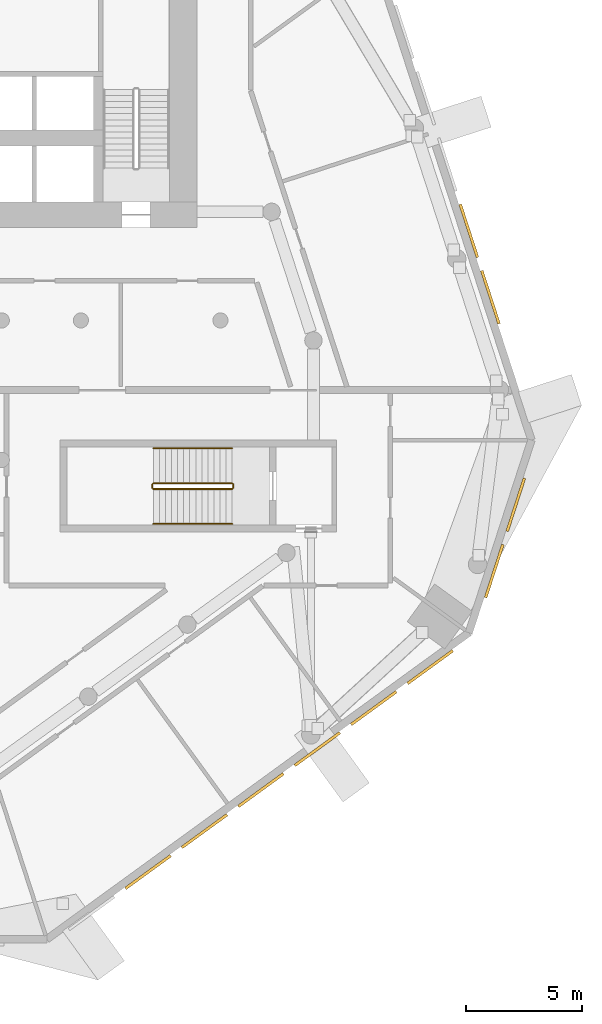
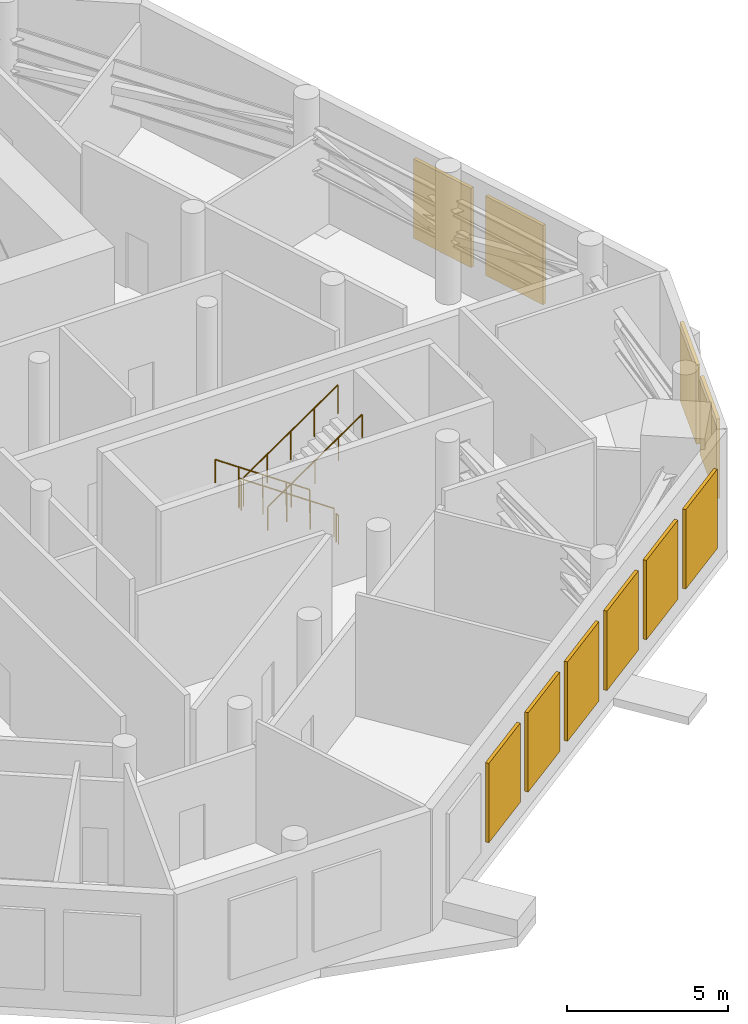
# One storey, part 13 of 15: 10 shading devices, 6 railings.
"""IFC4 building model written with IfcOpenShell, lengths in metres."""

from ifc_helpers import new_model, si_unit, direction, frame, origin, origin_2d, place, context, subcontext, project, spatial, rectangle, circle, extrude, material, type_object, element, save


model = new_model("IFC4")

# Units and contexts
model_context = context("Model", 3, precision=1e-05, world=origin(), true_north=direction((0.0, 1.0)))
body_context = subcontext(model_context, "Body", "Model", "MODEL_VIEW")
ifc_project = project(units=[si_unit("LENGTHUNIT", "METRE"), si_unit("AREAUNIT", "SQUARE_METRE"), si_unit("VOLUMEUNIT", "CUBIC_METRE"), si_unit("PLANEANGLEUNIT", "RADIAN"), si_unit("MASSUNIT", "GRAM", prefix="KILO")], contexts=[model_context])

# Site, building, storey
site_placement = place(None, origin())
site = spatial("IfcSite", under=ifc_project, at=site_placement, CompositionType="ELEMENT")
building_placement = place(site_placement, origin())
building = spatial("IfcBuilding", under=site, at=building_placement, Name="White Candle Pilgrim Tower", CompositionType="ELEMENT")
storey_placement = place(building_placement, frame((0.0, 0.0, 137.60009765625)))
storey = spatial("IfcBuildingStorey", under=building, at=storey_placement, Name="L31", CompositionType="ELEMENT", Elevation=137.60009765625)

# Shading devices
ifc_material_1 = material(Name="Aluminium", Category="aluminium")
shading_device_type = type_object("IfcShadingDeviceType", Name="Plant louvre LV1 2400x3000 aluminium framed", PredefinedType="USERDEFINED", material=ifc_material_1)
for number, where, z_axis, x_axis, name in (
    (1, (78.88525390625, 43.275146484375, 0.7998046875), (0.0, 0.0, 1.0), (0.809017003362, 0.587785239923, 0.0), "Plant louvre L31 SE 2"),
    (2, (81.312255859375, 45.038330078125, 0.7998046875), (0.0, 0.0, 1.0), (0.809017003362, 0.587785239923, 0.0), "Plant louvre L31 SE 3"),
    (3, (83.7392578125, 46.8017578125, 0.7998046875), (0.0, 0.0, 1.0), (0.809017003362, 0.587785239923, 0.0), "Plant louvre L31 SE 4"),
    (4, (86.166259765625, 48.565185546875, 0.7998046875), (0.0, 0.0, 1.0), (0.809017003362, 0.587785239923, 0.0), "Plant louvre L31 SE 5"),
    (5, (88.593505859375, 50.32861328125, 0.7998046875), (0.0, 0.0, 1.0), (0.809017003362, 0.587785239923, 0.0), "Plant louvre L31 SE 6"),
    (6, (91.0205078125, 52.091796875, 0.7998046875), (0.0, 0.0, 1.0), (0.809017003362, 0.587785239923, 0.0), "Plant louvre L31 SE 7"),
    (7, (93.77490234375, 56.21923828125, 0.7998046875), (0.0, 0.0, 1.0), (0.309016955118, 0.95105652905, 0.0), "Plant louvre L31 E chamfer 1"),
    (8, (94.701904296875, 59.072265625, 0.7998046875), (0.0, 0.0, 1.0), (0.309016955118, 0.95105652905, 0.0), "Plant louvre L31 E chamfer 2"),
    (9, (93.6103515625, 67.998046875, 0.7998046875), (0.0, 0.0, 1.0), (-0.309017015705, 0.951056509365, 0.0), "Plant louvre L31 ENE 2"),
    (10, (92.683349609375, 70.851318359375, 0.7998046875), (0.0, 0.0, 1.0), (-0.309017015705, 0.951056509365, 0.0), "Plant louvre L31 ENE 3"),
):
    element("IfcShadingDevice", number, at=place(storey_placement, frame(where, z_axis=z_axis, x_axis=x_axis)), inside=storey, type_object=shading_device_type, Name=name, ObjectType="LOUVRE", PredefinedType="USERDEFINED", context=body_context, shape_type="SweptSolid", body=[
        extrude(rectangle(XDim=2.39990234375, YDim=0.1201171875, at=origin_2d()), origin(), (0.0, 0.0, 1.0), 3.0),
    ])

# Railings
ifc_material_2 = material(Name="Stainless steel", Category="steel")
railing_type_1 = type_object("IfcRailingType", Name="Stair guard stainless steel 1100 mm", PredefinedType="GUARDRAIL", material=ifc_material_2)
railing_1_placement = place(storey_placement, frame((82.5, 60.0, 0.178466796875)))
element("IfcRailing", 11, at=railing_1_placement, inside=storey, type_object=railing_type_1, Name="L31 ST4 stair guard 1", PredefinedType="GUARDRAIL", context=body_context, shape_type="SweptSolid", body=[
    extrude(circle(Radius=0.02392578125, at=origin_2d()), frame((0.0, 0.0, 1.076171875), z_axis=(-0.824285065979, 0.0, 0.566174999451), x_axis=(0.0, -1.0, 0.0)), (0.0, 0.0, 1.0), 4.100341796875),
    extrude(circle(Radius=0.02099609375, at=origin_2d()), origin(), (0.0, 0.0, 1.0), 1.052001953125),
    extrude(circle(Radius=0.02099609375, at=origin_2d()), frame((-0.844970703125, 0.0, 0.580322265625)), (0.0, 0.0, 1.0), 1.052001953125),
    extrude(circle(Radius=0.02099609375, at=origin_2d()), frame((-1.68994140625, 0.0, 1.16064453125)), (0.0, 0.0, 1.0), 1.052001953125),
    extrude(circle(Radius=0.02099609375, at=origin_2d()), frame((-2.534912109375, 0.0, 1.7412109375)), (0.0, 0.0, 1.0), 1.052001953125),
    extrude(circle(Radius=0.02099609375, at=origin_2d()), frame((-3.3798828125, 0.0, 2.321533203125)), (0.0, 0.0, 1.0), 1.052001953125),
])
railing_2_placement = place(storey_placement, frame((79.070068359375, 59.949951171875, 2.5)))
element("IfcRailing", 12, at=railing_2_placement, inside=storey, type_object=railing_type_1, Name="L31 ST4 stair guard 2", PredefinedType="GUARDRAIL", context=body_context, shape_type="SweptSolid", body=[
    extrude(circle(Radius=0.02392578125, at=origin_2d()), frame((0.0, 0.0, 1.076171875), z_axis=(0.0, -1.0, 0.0), x_axis=(1.0, 0.0, 0.0)), (0.0, 0.0, 1.0), 0.14990234375),
    extrude(circle(Radius=0.02099609375, at=origin_2d()), origin(), (0.0, 0.0, 1.0), 1.052001953125),
    extrude(circle(Radius=0.02099609375, at=origin_2d()), frame((0.0, -0.14990234375, 0.0)), (0.0, 0.0, 1.0), 1.052001953125),
])
railing_3_placement = place(storey_placement, frame((79.1201171875, 59.75, 2.678466796875)))
element("IfcRailing", 13, at=railing_3_placement, inside=storey, type_object=railing_type_1, Name="L31 ST4 stair guard 3", PredefinedType="GUARDRAIL", context=body_context, shape_type="SweptSolid", body=[
    extrude(circle(Radius=0.02392578125, at=origin_2d()), frame((0.0, 0.0, 1.076171875), z_axis=(0.824285065979, 0.0, 0.566174999451), x_axis=(0.0, 1.0, 0.0)), (0.0, 0.0, 1.0), 4.100341796875),
    extrude(circle(Radius=0.02099609375, at=origin_2d()), origin(), (0.0, 0.0, 1.0), 1.052001953125),
    extrude(circle(Radius=0.02099609375, at=origin_2d()), frame((0.844970703125, 0.0, 0.580322265625)), (0.0, 0.0, 1.0), 1.052001953125),
    extrude(circle(Radius=0.02099609375, at=origin_2d()), frame((1.68994140625, 0.0, 1.16064453125)), (0.0, 0.0, 1.0), 1.052001953125),
    extrude(circle(Radius=0.02099609375, at=origin_2d()), frame((2.534912109375, 0.0, 1.7412109375)), (0.0, 0.0, 1.0), 1.052001953125),
    extrude(circle(Radius=0.02099609375, at=origin_2d()), frame((3.3798828125, 0.0, 2.321533203125)), (0.0, 0.0, 1.0), 1.052001953125),
])
railing_4_placement = place(storey_placement, frame((82.550048828125, 59.949951171875, 0.0)))
element("IfcRailing", 14, at=railing_4_placement, inside=storey, type_object=railing_type_1, Name="L31 ST4 stair guard 4", PredefinedType="GUARDRAIL", context=body_context, shape_type="SweptSolid", body=[
    extrude(circle(Radius=0.02392578125, at=origin_2d()), frame((0.0, 0.0, 1.076171875), z_axis=(0.0, -1.0, 0.0), x_axis=(1.0, 0.0, 0.0)), (0.0, 0.0, 1.0), 0.14990234375),
    extrude(circle(Radius=0.02099609375, at=origin_2d()), origin(), (0.0, 0.0, 1.0), 1.052001953125),
    extrude(circle(Radius=0.02099609375, at=origin_2d()), frame((0.0, -0.14990234375, 0.0)), (0.0, 0.0, 1.0), 1.052001953125),
])
railing_type_2 = type_object("IfcRailingType", Name="Stair handrail stainless steel", PredefinedType="HANDRAIL", material=ifc_material_2)
railing_5_placement = place(storey_placement, frame((82.5, 61.5, 0.178466796875)))
element("IfcRailing", 15, at=railing_5_placement, inside=storey, type_object=railing_type_2, Name="L31 ST4 stair handrail 1", PredefinedType="HANDRAIL", context=body_context, shape_type="SweptSolid", body=[
    extrude(circle(Radius=0.02392578125, at=origin_2d()), frame((0.0, 0.0, 0.8759765625), z_axis=(-0.824285065979, 0.0, 0.566174999451), x_axis=(0.0, -1.0, 0.0)), (0.0, 0.0, 1.0), 4.100341796875),
    extrude(circle(Radius=0.02099609375, at=origin_2d()), origin(), (0.0, 0.0, 1.0), 0.851806640625),
    extrude(circle(Radius=0.02099609375, at=origin_2d()), frame((-0.844970703125, 0.0, 0.580322265625)), (0.0, 0.0, 1.0), 0.851806640625),
    extrude(circle(Radius=0.02099609375, at=origin_2d()), frame((-1.68994140625, 0.0, 1.16064453125)), (0.0, 0.0, 1.0), 0.851806640625),
    extrude(circle(Radius=0.02099609375, at=origin_2d()), frame((-2.534912109375, 0.0, 1.7412109375)), (0.0, 0.0, 1.0), 0.851806640625),
    extrude(circle(Radius=0.02099609375, at=origin_2d()), frame((-3.3798828125, 0.0, 2.321533203125)), (0.0, 0.0, 1.0), 0.851806640625),
])
railing_6_placement = place(storey_placement, frame((79.1201171875, 58.25, 2.678466796875)))
element("IfcRailing", 16, at=railing_6_placement, inside=storey, type_object=railing_type_2, Name="L31 ST4 stair handrail 2", PredefinedType="HANDRAIL", context=body_context, shape_type="SweptSolid", body=[
    extrude(circle(Radius=0.02392578125, at=origin_2d()), frame((0.0, 0.0, 0.8759765625), z_axis=(0.824285065979, 0.0, 0.566174999451), x_axis=(0.0, 1.0, 0.0)), (0.0, 0.0, 1.0), 4.100341796875),
    extrude(circle(Radius=0.02099609375, at=origin_2d()), origin(), (0.0, 0.0, 1.0), 0.851806640625),
    extrude(circle(Radius=0.02099609375, at=origin_2d()), frame((0.844970703125, 0.0, 0.580322265625)), (0.0, 0.0, 1.0), 0.851806640625),
    extrude(circle(Radius=0.02099609375, at=origin_2d()), frame((1.68994140625, 0.0, 1.16064453125)), (0.0, 0.0, 1.0), 0.851806640625),
    extrude(circle(Radius=0.02099609375, at=origin_2d()), frame((2.534912109375, 0.0, 1.7412109375)), (0.0, 0.0, 1.0), 0.851806640625),
    extrude(circle(Radius=0.02099609375, at=origin_2d()), frame((3.3798828125, 0.0, 2.321533203125)), (0.0, 0.0, 1.0), 0.851806640625),
])

save(model, "model.ifc")
